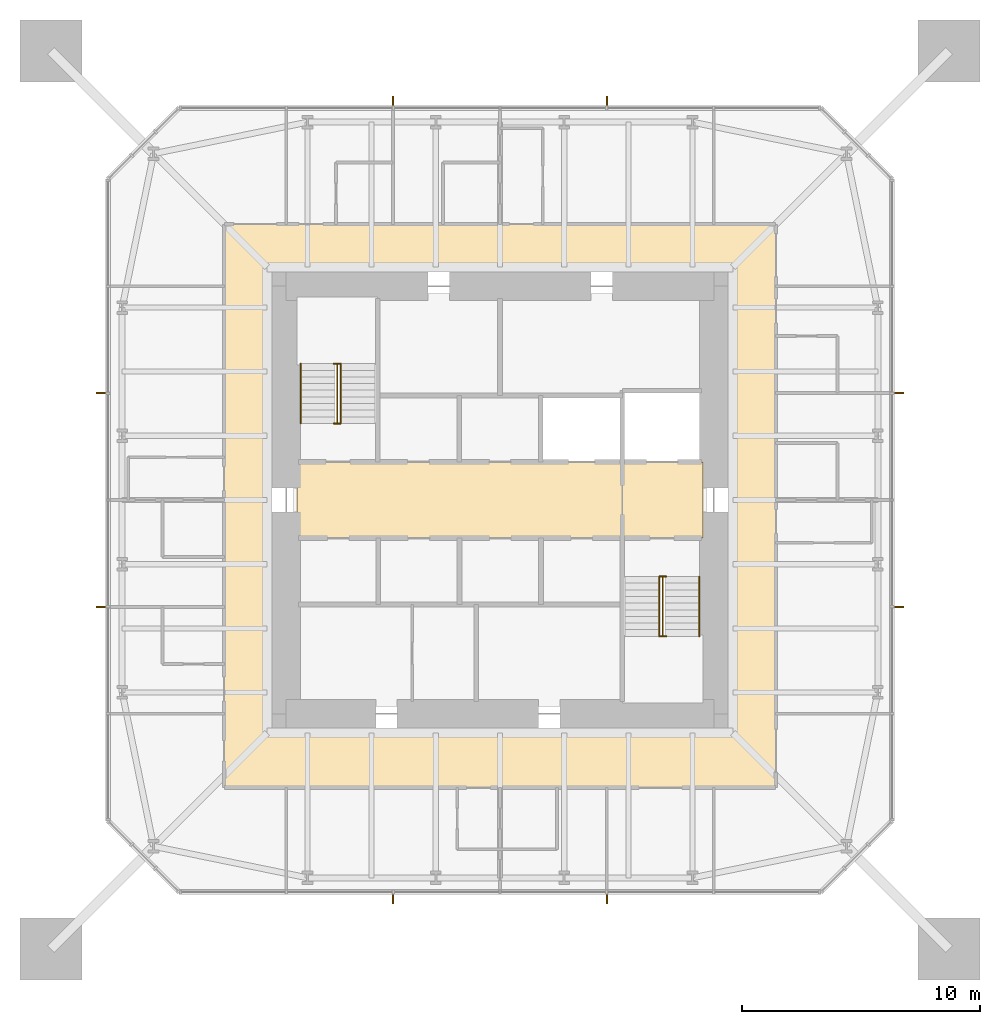
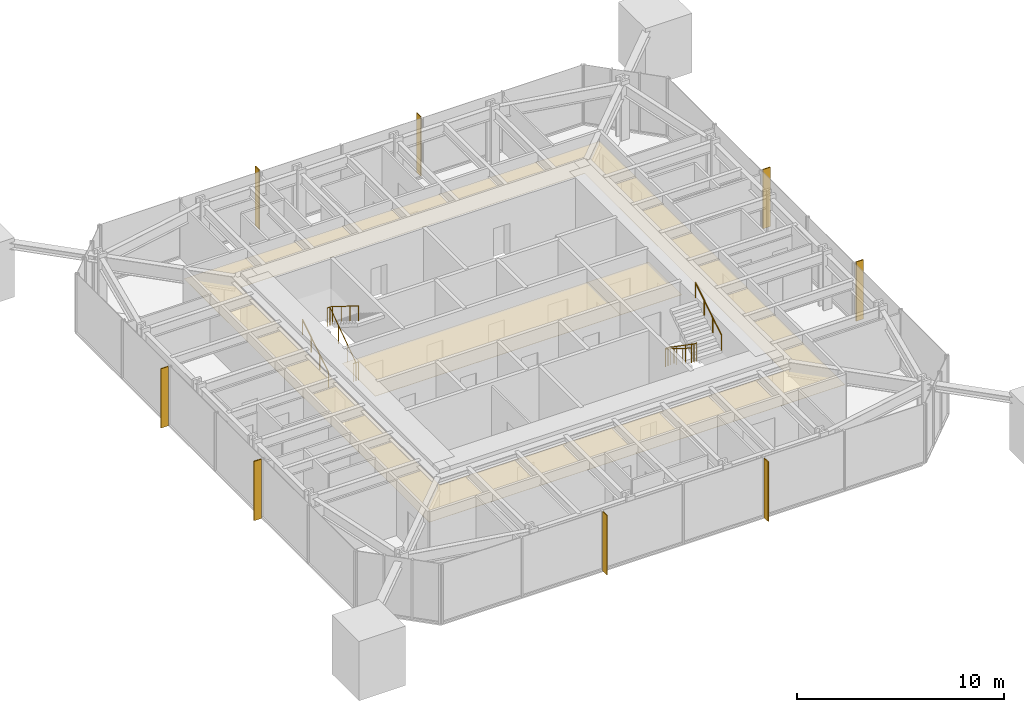
# One storey, part 9 of 9: 8 shading devices, 6 railings, 3 coverings.
"""IFC4 building model written with IfcOpenShell, lengths in metres."""

from ifc_helpers import new_model, si_unit, direction, frame, origin, origin_2d, place, context, subcontext, project, spatial, polyline, rectangle, circle, outline, extrude, material, layer, layer_set, constituent, constituent_set, type_object, element, save


model = new_model("IFC4")

# Units and contexts
model_context = context("Model", 3, precision=1e-05, world=origin(), true_north=direction((0.0, 1.0)))
body_context = subcontext(model_context, "Body", "Model", "MODEL_VIEW")
ifc_project = project(units=[si_unit("LENGTHUNIT", "METRE"), si_unit("AREAUNIT", "SQUARE_METRE"), si_unit("VOLUMEUNIT", "CUBIC_METRE"), si_unit("PLANEANGLEUNIT", "RADIAN"), si_unit("MASSUNIT", "GRAM", prefix="KILO")], contexts=[model_context])

# Site, building, storey
site_placement = place(None, origin())
site = spatial("IfcSite", under=ifc_project, at=site_placement, CompositionType="ELEMENT")
building_placement = place(site_placement, origin())
building = spatial("IfcBuilding", under=site, at=building_placement, Name="Iwan Alto Co-Living Towers", CompositionType="ELEMENT")
storey_placement = place(building_placement, frame((0.0, 0.0, 236.0)))
storey = spatial("IfcBuildingStorey", under=building, at=storey_placement, Name="L64", CompositionType="ELEMENT", Elevation=236.0)

# Coverings
ifc_material_1 = material(Name="Mineral fibre acoustic tiles on steel grid", Category="steel")
ifc_layer_1 = layer(ifc_material_1, 0.02001953125)
ifc_layer_set_1 = layer_set([ifc_layer_1], Name="ACOUSTIC TILE CEILING 20")
covering_type_1 = type_object("IfcCoveringType", Name="ACOUSTIC TILE CEILING 20", PredefinedType="CEILING", material=ifc_layer_set_1)
covering_1_placement = place(storey_placement, frame((0.0, 0.0, 2.60009765625)))
element("IfcCovering", 1, at=covering_1_placement, inside=storey, type_object=covering_type_1, Name="Ceiling Lift lobby L64", PredefinedType="CEILING", context=body_context, shape_type="SweptSolid", body=[
    extrude(outline(polyline([(-8.550048828125, -1.60009765625), (-8.550048828125, 1.60009765625), (5.14990234375, 1.60009765625), (5.14990234375, -1.60009765625), (-8.550048828125, -1.60009765625)])), origin(), (0.0, 0.0, 1.0), 0.02001953125),
])
covering_2_placement = place(storey_placement, frame((0.0, 0.0, 2.60009765625)))
element("IfcCovering", 2, at=covering_2_placement, inside=storey, type_object=covering_type_1, Name="Ceiling Firefighting lobby L64", PredefinedType="CEILING", context=body_context, shape_type="SweptSolid", body=[
    extrude(outline(polyline([(5.14990234375, -1.60009765625), (5.14990234375, 1.60009765625), (8.550048828125, 1.60009765625), (8.550048828125, -1.60009765625), (5.14990234375, -1.60009765625)])), origin(), (0.0, 0.0, 1.0), 0.02001953125),
])

# Shading devices
ifc_material_2 = material(Name="Aluminium 6063-T6 bronze anodised", Category="aluminium")
ifc_layer_2 = layer(ifc_material_2, 0.050048828125)
ifc_layer_set_2 = layer_set([ifc_layer_2], Name="BRONZE FIN 50X400")
shading_device_type = type_object("IfcShadingDeviceType", Name="BRONZE FIN 50X400", PredefinedType="USERDEFINED", material=ifc_layer_set_2)
for number, where, z_axis, x_axis, name in (
    (3, (-4.5, -16.800048828125, 0.0), (0.0, 0.0, 1.0), (1.0, 0.0, 0.0), "Bronze fin L64"),
    (4, (4.5, -16.800048828125, 0.0), (0.0, 0.0, 1.0), (1.0, 0.0, 0.0), "Bronze fin L64"),
    (5, (16.800048828125, -4.5, 0.0), (0.0, 0.0, 1.0), (0.0, 1.0, 0.0), "Bronze fin L64"),
    (6, (16.800048828125, 4.5, 0.0), (0.0, 0.0, 1.0), (0.0, 1.0, 0.0), "Bronze fin L64"),
    (7, (4.5, 16.800048828125, 0.0), (0.0, 0.0, 1.0), (-1.0, 0.0, 0.0), "Bronze fin L64"),
    (8, (-4.5, 16.800048828125, 0.0), (0.0, 0.0, 1.0), (-1.0, 0.0, 0.0), "Bronze fin L64"),
    (9, (-16.800048828125, 4.5, 0.0), (0.0, 0.0, 1.0), (0.0, -1.0, 0.0), "Bronze fin L64"),
    (10, (-16.800048828125, -4.5, 0.0), (0.0, 0.0, 1.0), (0.0, -1.0, 0.0), "Bronze fin L64"),
):
    element("IfcShadingDevice", number, at=place(storey_placement, frame(where, z_axis=z_axis, x_axis=x_axis)), inside=storey, type_object=shading_device_type, Name=name, ObjectType="LOUVER", PredefinedType="USERDEFINED", context=body_context, shape_type="SweptSolid", body=[
        extrude(rectangle(XDim=0.050048828125, YDim=0.39990234375, at=origin_2d()), origin(), (0.0, 0.0, 1.0), 3.5),
    ])

# Railings
ifc_material_3 = material(Name="Steel ASTM A500 Gr C", Category="steel")
ifc_constituent_1 = constituent(ifc_material_3, Name="Rails and posts", Category="Framing")
ifc_material_4 = material(Name="Steel ASTM A36", Category="steel")
ifc_constituent_2 = constituent(ifc_material_4, Name="Bar infill", Category="Infill")
ifc_constituent_set = constituent_set(constituents=[ifc_constituent_1, ifc_constituent_2], Name="STAIR GUARD 1100")
railing_type_1 = type_object("IfcRailingType", Name="STAIR GUARD 1100", PredefinedType="GUARDRAIL", material=ifc_constituent_set)
railing_1_placement = place(storey_placement, frame((-6.85009765625, 3.219970703125, 0.0)))
element("IfcRailing", 11, at=railing_1_placement, inside=storey, type_object=railing_type_1, Name="Stair T1-S1 well guard L64", PredefinedType="GUARDRAIL", context=body_context, shape_type="SweptSolid", body=[
    extrude(circle(Radius=0.02392578125, at=origin_2d()), frame((0.0, 0.0, 1.076171875), z_axis=(0.0, 0.821372036852, 0.570392826987), x_axis=(-1.0, 0.0, 0.0)), (0.0, 0.0, 1.0), 3.068115234375),
    extrude(circle(Radius=0.02392578125, at=origin_2d()), frame((-0.14990234375, 0.0, 1.076171875), z_axis=(1.0, 0.0, 0.0), x_axis=(0.0, 1.0, 0.0)), (0.0, 0.0, 1.0), 0.300048828125),
    extrude(circle(Radius=0.02392578125, at=origin_2d()), frame((-0.14990234375, 2.52001953125, 2.826171875), z_axis=(1.0, 0.0, 0.0), x_axis=(0.0, 1.0, 0.0)), (0.0, 0.0, 1.0), 0.300048828125),
    extrude(circle(Radius=0.02099609375, at=origin_2d()), origin(), (0.0, 0.0, 1.0), 1.052001953125),
    extrude(circle(Radius=0.02099609375, at=origin_2d()), frame((0.0, 0.840087890625, 0.583251953125)), (0.0, 0.0, 1.0), 1.052001953125),
    extrude(circle(Radius=0.02099609375, at=origin_2d()), frame((0.0, 1.679931640625, 1.166748046875)), (0.0, 0.0, 1.0), 1.052001953125),
    extrude(circle(Radius=0.02099609375, at=origin_2d()), frame((0.0, 2.52001953125, 1.75)), (0.0, 0.0, 1.0), 1.052001953125),
    extrude(circle(Radius=0.02099609375, at=origin_2d()), frame((-0.14990234375, 0.0, 0.0)), (0.0, 0.0, 1.0), 1.052001953125),
    extrude(circle(Radius=0.02099609375, at=origin_2d()), frame((0.150146484375, 0.0, 0.0)), (0.0, 0.0, 1.0), 1.052001953125),
    extrude(circle(Radius=0.02099609375, at=origin_2d()), frame((-0.14990234375, 2.52001953125, 1.75)), (0.0, 0.0, 1.0), 1.052001953125),
    extrude(circle(Radius=0.02099609375, at=origin_2d()), frame((0.150146484375, 2.52001953125, 1.75)), (0.0, 0.0, 1.0), 1.052001953125),
])
railing_2_placement = place(storey_placement, frame((6.85009765625, -3.219970703125, 0.0)))
element("IfcRailing", 12, at=railing_2_placement, inside=storey, type_object=railing_type_1, Name="Stair T1-S2 well guard L64", PredefinedType="GUARDRAIL", context=body_context, shape_type="SweptSolid", body=[
    extrude(circle(Radius=0.02392578125, at=origin_2d()), frame((0.0, 0.0, 1.076171875), z_axis=(0.0, -0.821372036852, 0.570392826987), x_axis=(1.0, 0.0, 0.0)), (0.0, 0.0, 1.0), 3.068115234375),
    extrude(circle(Radius=0.02392578125, at=origin_2d()), frame((-0.150146484375, 0.0, 1.076171875), z_axis=(1.0, 0.0, 0.0), x_axis=(0.0, 1.0, 0.0)), (0.0, 0.0, 1.0), 0.300048828125),
    extrude(circle(Radius=0.02392578125, at=origin_2d()), frame((-0.150146484375, -2.52001953125, 2.826171875), z_axis=(1.0, 0.0, 0.0), x_axis=(0.0, 1.0, 0.0)), (0.0, 0.0, 1.0), 0.300048828125),
    extrude(circle(Radius=0.02099609375, at=origin_2d()), origin(), (0.0, 0.0, 1.0), 1.052001953125),
    extrude(circle(Radius=0.02099609375, at=origin_2d()), frame((0.0, -0.840087890625, 0.583251953125)), (0.0, 0.0, 1.0), 1.052001953125),
    extrude(circle(Radius=0.02099609375, at=origin_2d()), frame((0.0, -1.679931640625, 1.166748046875)), (0.0, 0.0, 1.0), 1.052001953125),
    extrude(circle(Radius=0.02099609375, at=origin_2d()), frame((0.0, -2.52001953125, 1.75)), (0.0, 0.0, 1.0), 1.052001953125),
    extrude(circle(Radius=0.02099609375, at=origin_2d()), frame((-0.150146484375, 0.0, 0.0)), (0.0, 0.0, 1.0), 1.052001953125),
    extrude(circle(Radius=0.02099609375, at=origin_2d()), frame((0.14990234375, 0.0, 0.0)), (0.0, 0.0, 1.0), 1.052001953125),
    extrude(circle(Radius=0.02099609375, at=origin_2d()), frame((-0.150146484375, -2.52001953125, 1.75)), (0.0, 0.0, 1.0), 1.052001953125),
    extrude(circle(Radius=0.02099609375, at=origin_2d()), frame((0.14990234375, -2.52001953125, 1.75)), (0.0, 0.0, 1.0), 1.052001953125),
])
ifc_material_5 = material(Name="Steel ASTM A500 Gr C", Category="steel")
railing_type_2 = type_object("IfcRailingType", Name="STAIR HANDRAIL 900", PredefinedType="HANDRAIL", material=ifc_material_5)
railing_3_placement = place(storey_placement, frame((-8.3798828125, 3.219970703125, 0.175048828125)))
element("IfcRailing", 13, at=railing_3_placement, inside=storey, type_object=railing_type_2, Name="Stair T1-S1 handrail 1 L64", PredefinedType="HANDRAIL", context=body_context, shape_type="SweptSolid", body=[
    extrude(circle(Radius=0.02392578125, at=origin_2d()), frame((0.0, 0.0, 0.8759765625), z_axis=(0.0, 0.848007534815, 0.529984170421), x_axis=(-1.0, 0.0, 0.0)), (0.0, 0.0, 1.0), 2.9716796875),
    extrude(circle(Radius=0.02099609375, at=origin_2d()), origin(), (0.0, 0.0, 1.0), 0.851806640625),
    extrude(circle(Radius=0.02099609375, at=origin_2d()), frame((0.0, 0.840087890625, 0.52490234375)), (0.0, 0.0, 1.0), 0.851806640625),
    extrude(circle(Radius=0.02099609375, at=origin_2d()), frame((0.0, 1.679931640625, 1.050048828125)), (0.0, 0.0, 1.0), 0.851806640625),
    extrude(circle(Radius=0.02099609375, at=origin_2d()), frame((0.0, 2.52001953125, 1.574951171875)), (0.0, 0.0, 1.0), 0.851806640625),
])
for number, where, name in (
    (14, (-6.699951171875, 5.739990234375, 1.925048828125), "Stair T1-S1 handrail 2 L64"),
    (15, (6.699951171875, -3.219970703125, 0.175048828125), "Stair T1-S2 handrail 1 L64"),
):
    element("IfcRailing", number, at=place(storey_placement, frame(where)), inside=storey, type_object=railing_type_2, Name=name, PredefinedType="HANDRAIL", context=body_context, shape_type="SweptSolid", body=[
        extrude(circle(Radius=0.02392578125, at=origin_2d()), frame((0.0, 0.0, 0.8759765625), z_axis=(0.0, -0.848007534815, 0.529984170421), x_axis=(1.0, 0.0, 0.0)), (0.0, 0.0, 1.0), 2.9716796875),
        extrude(circle(Radius=0.02099609375, at=origin_2d()), origin(), (0.0, 0.0, 1.0), 0.851806640625),
        extrude(circle(Radius=0.02099609375, at=origin_2d()), frame((0.0, -0.840087890625, 0.52490234375)), (0.0, 0.0, 1.0), 0.851806640625),
        extrude(circle(Radius=0.02099609375, at=origin_2d()), frame((0.0, -1.679931640625, 1.050048828125)), (0.0, 0.0, 1.0), 0.851806640625),
        extrude(circle(Radius=0.02099609375, at=origin_2d()), frame((0.0, -2.52001953125, 1.574951171875)), (0.0, 0.0, 1.0), 0.851806640625),
    ])
railing_4_placement = place(storey_placement, frame((8.3798828125, -5.739990234375, 1.925048828125)))
element("IfcRailing", 16, at=railing_4_placement, inside=storey, type_object=railing_type_2, Name="Stair T1-S2 handrail 2 L64", PredefinedType="HANDRAIL", context=body_context, shape_type="SweptSolid", body=[
    extrude(circle(Radius=0.02392578125, at=origin_2d()), frame((0.0, 0.0, 0.8759765625), z_axis=(0.0, 0.848007534815, 0.529984170421), x_axis=(-1.0, 0.0, 0.0)), (0.0, 0.0, 1.0), 2.9716796875),
    extrude(circle(Radius=0.02099609375, at=origin_2d()), origin(), (0.0, 0.0, 1.0), 0.851806640625),
    extrude(circle(Radius=0.02099609375, at=origin_2d()), frame((0.0, 0.840087890625, 0.52490234375)), (0.0, 0.0, 1.0), 0.851806640625),
    extrude(circle(Radius=0.02099609375, at=origin_2d()), frame((0.0, 1.679931640625, 1.050048828125)), (0.0, 0.0, 1.0), 0.851806640625),
    extrude(circle(Radius=0.02099609375, at=origin_2d()), frame((0.0, 2.52001953125, 1.574951171875)), (0.0, 0.0, 1.0), 0.851806640625),
])

# Covering
ifc_material_6 = material(Name="Gypsum plasterboard on steel grid", Category="steel")
ifc_layer_3 = layer(ifc_material_6, 0.014892578125)
ifc_layer_set_3 = layer_set([ifc_layer_3], Name="SUSPENDED PLASTERBOARD CEILING 15")
covering_type_2 = type_object("IfcCoveringType", Name="SUSPENDED PLASTERBOARD CEILING 15", PredefinedType="CEILING", material=ifc_layer_set_3)
covering_3_placement = place(storey_placement, frame((0.0, 0.0, 2.60009765625)))
element("IfcCovering", 17, at=covering_3_placement, inside=storey, type_object=covering_type_2, Name="Ceiling Corridor L64", PredefinedType="CEILING", context=body_context, shape_type="SweptSolid", body=[
    extrude(outline(polyline([(-11.60009765625, 11.60009765625), (11.60009765625, 11.60009765625), (11.60009765625, -12.10009765625), (-11.60009765625, -12.10009765625), (-11.60009765625, 11.60009765625)]), holes=[polyline([(-9.60009765625, 9.60009765625), (-9.60009765625, -9.60009765625), (9.60009765625, -9.60009765625), (9.60009765625, 9.60009765625), (-9.60009765625, 9.60009765625)])]), origin(), (0.0, 0.0, 1.0), 0.014892578125),
])

save(model, "model.ifc")
